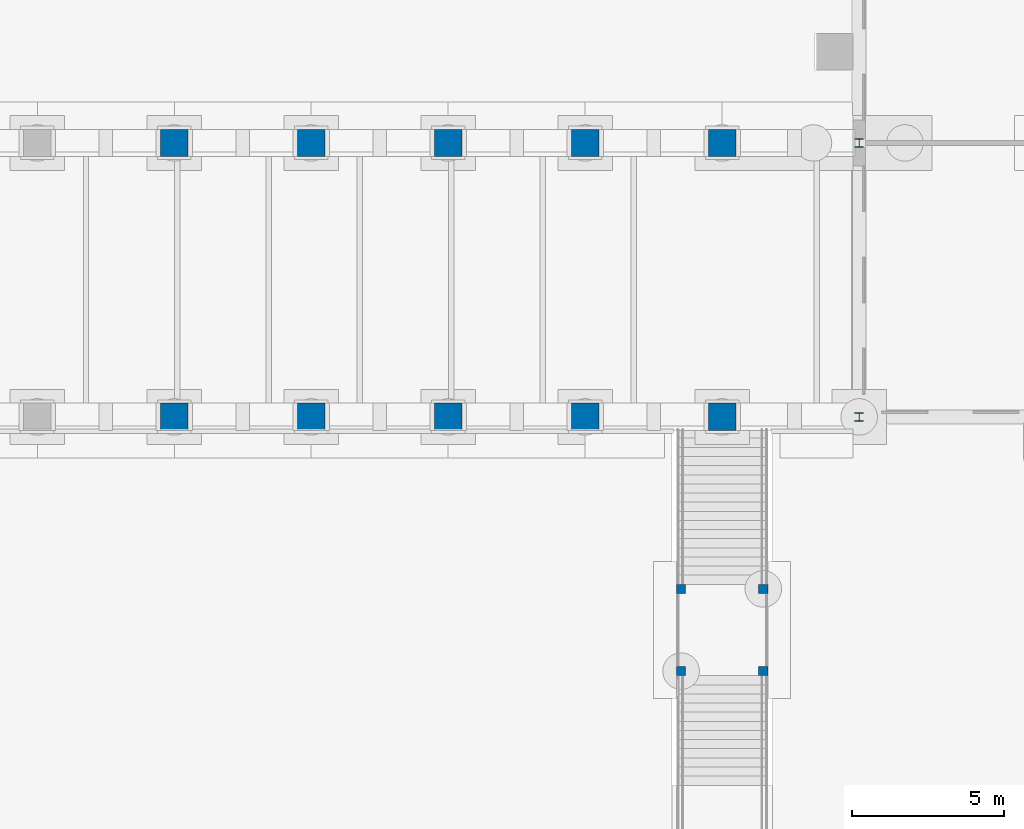
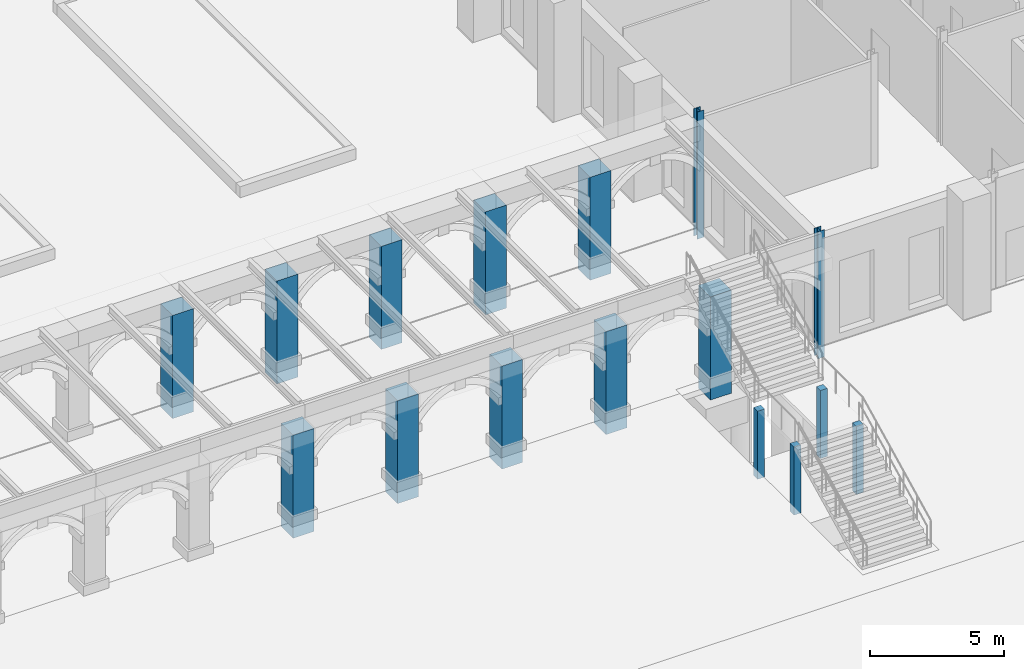
# One storey, part 27 of 168: 16 columns.
"""IFC4 building model written with IfcOpenShell, lengths in metres."""

import ifcopenshell
import ifcopenshell.guid

model = None  # the IFC model being written
_history = None  # IfcOwnerHistory: only IFC2X3 demands one
_inside = {}  # id of a spatial element -> (the spatial element, [elements in it])
_under = {}  # id of a project, library or spatial element -> (it, [spatial elements below it])
_declared = {}  # id of a project -> (the project, [libraries it declares])
_typed = {}  # id of a type object -> (the type object, [elements of that type])
_made_of = {}  # id of a material, layer set ... -> (it, [elements and type objects made of it])


def new_model(schema):
    """Start an empty IFC model of exactly this schema.

    Asked for "IFC4X3", IfcOpenShell would pick the latest addendum, in which some entities
    have other attributes; the version numbers below select the first issue.
    IFC2X3 requires an IfcOwnerHistory on every rooted entity: one is made here for all.
    """
    global model, _history
    if schema == "IFC4X3":
        model = ifcopenshell.file(schema_version=(4, 3, 0, 0))
    else:
        model = ifcopenshell.file(schema=schema)
    _inside.clear()
    _under.clear()
    _declared.clear()
    _typed.clear()
    _made_of.clear()
    _history = None
    if model.schema == "IFC2X3":
        org = make("IfcOrganization", Name="unknown")
        user = make(
            "IfcPersonAndOrganization",
            ThePerson=make("IfcPerson", FamilyName="unknown"),
            TheOrganization=org,
        )
        app = make(
            "IfcApplication",
            ApplicationDeveloper=org,
            Version="unknown",
            ApplicationFullName="unknown",
            ApplicationIdentifier="unknown",
        )
        _history = make(
            "IfcOwnerHistory",
            OwningUser=user,
            OwningApplication=app,
            ChangeAction="ADDED",
            CreationDate=0,
        )
    return model


def make(cls, **values):
    """One entity of the class cls with the attributes given. An attribute that is None is left unset."""
    return model.create_entity(
        cls, **{name: value for name, value in values.items() if value is not None}
    )


def rooted(cls, **values):
    """An entity with a GlobalId (a new one), such as an element, a storey or a relation."""
    return make(cls, GlobalId=ifcopenshell.guid.new(), OwnerHistory=_history, **values)


def si_unit(unit_type, name, prefix=None):
    """IfcSIUnit, for example si_unit("LENGTHUNIT", "METRE", prefix="MILLI")."""
    return make("IfcSIUnit", UnitType=unit_type, Prefix=prefix, Name=name)


def assignment(units):
    """IfcUnitAssignment: the units of a project."""
    return None if units is None else make("IfcUnitAssignment", Units=units)


def point(xyz):
    """IfcCartesianPoint."""
    return None if xyz is None else make("IfcCartesianPoint", Coordinates=xyz)


def direction(xyz):
    """IfcDirection."""
    return None if xyz is None else make("IfcDirection", DirectionRatios=xyz)


def frame(location, z_axis=None, x_axis=None):
    """IfcAxis2Placement3D, a coordinate frame: its origin and axes. An axis left out is left unset."""
    return make(
        "IfcAxis2Placement3D",
        Location=point(location),
        Axis=direction(z_axis),
        RefDirection=direction(x_axis),
    )


def frame_2d(location, x_axis=None):
    """IfcAxis2Placement2D, a coordinate frame in the plane: its origin and x axis."""
    return make(
        "IfcAxis2Placement2D", Location=point(location), RefDirection=direction(x_axis)
    )


def origin():
    """The frame at (0, 0, 0) with its axes left unset."""
    return frame((0.0, 0.0, 0.0))


def origin_2d():
    """The frame at (0, 0) in the plane with its x axis left unset."""
    return frame_2d((0.0, 0.0))


def place(relative_to, where):
    """IfcLocalPlacement: puts the frame where relative to a parent placement (None: the world)."""
    return make(
        "IfcLocalPlacement", PlacementRelTo=relative_to, RelativePlacement=where
    )


def context(
    kind, dimensions, precision=None, world=None, true_north=None, identifier=None
):
    """IfcGeometricRepresentationContext, for example the 3D "Model" context."""
    return make(
        "IfcGeometricRepresentationContext",
        ContextIdentifier=identifier,
        ContextType=kind,
        CoordinateSpaceDimension=dimensions,
        Precision=precision,
        WorldCoordinateSystem=world,
        TrueNorth=true_north,
    )


def subcontext(parent, identifier, kind, view, scale=None):
    """IfcGeometricRepresentationSubContext, for example "Body" below "Model"."""
    return make(
        "IfcGeometricRepresentationSubContext",
        ContextIdentifier=identifier,
        ContextType=kind,
        ParentContext=parent,
        TargetScale=scale,
        TargetView=view,
    )


def project(units=None, contexts=None):
    """IfcProject with its units and contexts."""
    return rooted(
        "IfcProject",
        Name="project",
        RepresentationContexts=contexts,
        UnitsInContext=assignment(units),
    )


def spatial(cls, under=None, at=None, **own):
    """A site, building, storey or space (cls), placed at a placement, below another one or the project."""
    s = rooted(cls, ObjectPlacement=at, **own)
    if under is not None:
        _under.setdefault(under.id(), (under, []))[1].append(s)
    return s


def profile(cls, at=None, kind="AREA", **sizes):
    """A parametric profile (cls). Its sizes go by their IFC names, for example OverallWidth=200.0."""
    return make(cls, ProfileType=kind, Position=at, **sizes)


def rectangle(**sizes):
    """IfcRectangleProfileDef."""
    return profile("IfcRectangleProfileDef", **sizes)


def i_section(**sizes):
    """IfcIShapeProfileDef."""
    return profile("IfcIShapeProfileDef", **sizes)


def extrude(swept, where, along, depth):
    """IfcExtrudedAreaSolid: the profile swept, set in the frame where, extruded along a direction by depth."""
    return make(
        "IfcExtrudedAreaSolid",
        SweptArea=swept,
        Position=where,
        ExtrudedDirection=direction(along),
        Depth=depth,
    )


def shape(context_of_items, identifier, shape_type, items):
    """IfcShapeRepresentation: the items that make up one representation, for example the "Body"."""
    return make(
        "IfcShapeRepresentation",
        ContextOfItems=context_of_items,
        RepresentationIdentifier=identifier,
        RepresentationType=shape_type,
        Items=items,
    )


def material(Name=None, Category=None):
    """IfcMaterial."""
    return make("IfcMaterial", Name=Name, Category=Category)


def material_profile(
    of_material, cross_section, Name=None, Category=None, Priority=None
):
    """IfcMaterialProfile: a cross section and its material."""
    return make(
        "IfcMaterialProfile",
        Name=Name,
        Material=of_material,
        Profile=cross_section,
        Priority=Priority,
        Category=Category,
    )


def profile_set(profiles, Name=None, composite=None):
    """IfcMaterialProfileSet."""
    return make(
        "IfcMaterialProfileSet",
        Name=Name,
        MaterialProfiles=profiles,
        CompositeProfile=composite,
    )


def made_of(thing, what):
    """Note that an element or type object is made of a material, layer set ...; save() writes the relation."""
    if what is not None:
        _made_of.setdefault(what.id(), (what, []))[1].append(thing)
    return thing


def type_object(cls, material=None, **own):
    """A type object (cls), such as IfcWallType, which elements share."""
    return made_of(rooted(cls, **own), material)


def element(
    cls,
    number,
    at=None,
    inside=None,
    cuts=None,
    type_object=None,
    material=None,
    context=None,
    identifier="Body",
    shape_type=None,
    held_by="IfcProductDefinitionShape",
    body=None,
    shapes=None,
    **own,
):
    """One element of the class cls, such as IfcWall. Its Tag is "e" and its number.

    at: its placement. inside: the storey or other place that contains it. cuts: it is an
    opening in that element (IfcRelVoidsElement). A single representation is given by context,
    identifier, shape_type and body (its items); several are given by shapes. held_by: the class
    of the entity that holds the representations. save() writes the other relations.
    """
    e = rooted(cls, Tag="e%d" % number, ObjectPlacement=at, **own)
    if body is not None:
        shapes = [shape(context, identifier, shape_type, body)]
    if shapes is not None:
        e.Representation = make(held_by, Representations=shapes)
    if inside is not None:
        _inside.setdefault(inside.id(), (inside, []))[1].append(e)
    if cuts is not None:
        rooted(
            "IfcRelVoidsElement", RelatingBuildingElement=cuts, RelatedOpeningElement=e
        )
    if type_object is not None:
        _typed.setdefault(type_object.id(), (type_object, []))[1].append(e)
    return made_of(e, material)


def aggregate(whole, parts):
    """IfcRelAggregates: a whole, such as a stair, and the parts it consists of."""
    return rooted("IfcRelAggregates", RelatingObject=whole, RelatedObjects=parts)


def save(model, path):
    """Write the relations noted so far, then the file.

    IfcRelAggregates (storeys below a building ...), IfcRelContainedInSpatialStructure (elements
    in a storey), IfcRelDefinesByType, IfcRelAssociatesMaterial and IfcRelDeclares: one each for
    every whole, place, type object, material and project.
    """
    for whole, parts in _under.values():
        aggregate(whole, parts)
    for where, things in _inside.values():
        rooted(
            "IfcRelContainedInSpatialStructure",
            RelatedElements=things,
            RelatingStructure=where,
        )
    for kind, things in _typed.values():
        rooted("IfcRelDefinesByType", RelatedObjects=things, RelatingType=kind)
    for what, things in _made_of.values():
        rooted("IfcRelAssociatesMaterial", RelatedObjects=things, RelatingMaterial=what)
    for by, libraries in _declared.values():
        rooted("IfcRelDeclares", RelatingContext=by, RelatedDefinitions=libraries)
    model.write(path)


model = new_model("IFC4")

# Units and contexts
model_context = context("Model", 3, precision=1e-05, world=origin(), true_north=direction((0.0, 1.0)))
body_context = subcontext(model_context, "Body", "Model", "MODEL_VIEW")
ifc_project = project(units=[si_unit("LENGTHUNIT", "METRE"), si_unit("AREAUNIT", "SQUARE_METRE"), si_unit("VOLUMEUNIT", "CUBIC_METRE"), si_unit("PLANEANGLEUNIT", "RADIAN"), si_unit("MASSUNIT", "GRAM", prefix="KILO")], contexts=[model_context])

# Site, building, storey
site_placement = place(None, origin())
site = spatial("IfcSite", under=ifc_project, at=site_placement, CompositionType="ELEMENT")
building_placement = place(site_placement, origin())
building = spatial("IfcBuilding", under=site, at=building_placement, Name="Golden Quay Civic Hall", CompositionType="ELEMENT")
storey_placement = place(building_placement, origin())
storey = spatial("IfcBuildingStorey", under=building, at=storey_placement, Name="L00", CompositionType="ELEMENT", Elevation=0.0)

# Columns
ifc_material_1 = material(Name="Concrete C40/50", Category="concrete")
ifc_material_profile_1 = material_profile(ifc_material_1, rectangle(XDim=0.300048828125, YDim=0.300048828125, at=origin_2d()), Name="RC 300x300")
ifc_profile_set_1 = profile_set([ifc_material_profile_1], Name="Concrete C40/50")
column_type_1 = type_object("IfcColumnType", Name="Concrete column RC 300x300", PredefinedType="COLUMN", material=ifc_profile_set_1)
for number, where, z_axis, x_axis, name in (
    (1, (147.14990234375, -17.35009765625, -0.60009765625), (0.0, 0.0, 1.0), (1.0, 0.0, 0.0), "Stair landing column east"),
    (2, (147.14990234375, -14.64990234375, -0.60009765625), (0.0, 0.0, 1.0), (1.0, 0.0, 0.0), "Stair landing column east"),
    (3, (149.85009765625, -17.35009765625, -0.60009765625), (0.0, 0.0, 1.0), (1.0, 0.0, 0.0), "Stair landing column east"),
    (4, (149.85009765625, -14.64990234375, -0.60009765625), (0.0, 0.0, 1.0), (1.0, 0.0, 0.0), "Stair landing column east"),
):
    element("IfcColumn", number, at=place(storey_placement, frame(where, z_axis=z_axis, x_axis=x_axis)), inside=storey, type_object=column_type_1, Name=name, PredefinedType="COLUMN", context=body_context, shape_type="SweptSolid", body=[
        extrude(rectangle(XDim=0.300048828125, YDim=0.300048828125, at=origin_2d()), origin(), (0.0, 0.0, 1.0), 3.10009765625),
    ])
ifc_material_2 = material(Name="Concrete C40/50", Category="concrete")
ifc_material_profile_2 = material_profile(ifc_material_2, rectangle(XDim=0.89990234375, YDim=0.89990234375, at=origin_2d()), Name="RC 900x900")
ifc_profile_set_2 = profile_set([ifc_material_profile_2], Name="Concrete C40/50")
column_type_2 = type_object("IfcColumnType", Name="Concrete column RC 900x900", PredefinedType="COLUMN", material=ifc_profile_set_2)
for number, where, z_axis, x_axis, name in (
    (5, (130.5, -9.0, -0.60009765625), (0.0, 0.0, 1.0), (1.0, 0.0, 0.0), "Arcade pier outer 130.5"),
    (6, (135.0, -9.0, -0.60009765625), (0.0, 0.0, 1.0), (1.0, 0.0, 0.0), "Arcade pier outer 135"),
    (7, (139.5, -9.0, -0.60009765625), (0.0, 0.0, 1.0), (1.0, 0.0, 0.0), "Arcade pier outer 139.5"),
    (8, (144.0, -9.0, -0.60009765625), (0.0, 0.0, 1.0), (1.0, 0.0, 0.0), "Arcade pier outer 144"),
    (9, (148.5, -9.0, -0.60009765625), (0.0, 0.0, 1.0), (1.0, 0.0, 0.0), "Arcade pier outer 148.5"),
    (10, (130.5, 0.0, -0.60009765625), (0.0, 0.0, 1.0), (1.0, 0.0, 0.0), "Arcade pier inner1 130.5"),
    (11, (135.0, 0.0, -0.60009765625), (0.0, 0.0, 1.0), (1.0, 0.0, 0.0), "Arcade pier inner1 135"),
    (12, (139.5, 0.0, -0.60009765625), (0.0, 0.0, 1.0), (1.0, 0.0, 0.0), "Arcade pier inner1 139.5"),
    (13, (144.0, 0.0, -0.60009765625), (0.0, 0.0, 1.0), (1.0, 0.0, 0.0), "Arcade pier inner1 144"),
    (14, (148.5, 0.0, -0.60009765625), (0.0, 0.0, 1.0), (1.0, 0.0, 0.0), "Arcade pier inner1 148.5"),
):
    element("IfcColumn", number, at=place(storey_placement, frame(where, z_axis=z_axis, x_axis=x_axis)), inside=storey, type_object=column_type_2, Name=name, PredefinedType="COLUMN", context=body_context, shape_type="SweptSolid", body=[
        extrude(rectangle(XDim=0.89990234375, YDim=0.89990234375, at=origin_2d()), origin(), (0.0, 0.0, 1.0), 4.7001953125),
    ])
ifc_material_3 = material(Name="Steel S355", Category="steel")
ifc_material_profile_3 = material_profile(ifc_material_3, i_section(OverallWidth=0.280029296875, OverallDepth=0.27001953125, WebThickness=0.008056640625, FlangeThickness=0.012939453125, FilletRadius=0.02392578125, at=origin_2d()), Name="HEA 280")
ifc_profile_set_3 = profile_set([ifc_material_profile_3], Name="Steel S355")
column_type_3 = type_object("IfcColumnType", Name="Steel column HEA 280", PredefinedType="COLUMN", material=ifc_profile_set_3)
for number, where, z_axis, x_axis, name in (
    (15, (153.0, -9.0, -0.60009765625), (0.0, 0.0, 1.0), (1.0, 0.0, 0.0), "Column 153/-9 L00"),
    (16, (153.0, 0.0, -0.60009765625), (0.0, 0.0, 1.0), (1.0, 0.0, 0.0), "Column 153/0 L00"),
):
    element("IfcColumn", number, at=place(storey_placement, frame(where, z_axis=z_axis, x_axis=x_axis)), inside=storey, type_object=column_type_3, Name=name, PredefinedType="COLUMN", context=body_context, shape_type="SweptSolid", body=[
        extrude(i_section(OverallWidth=0.280029296875, OverallDepth=0.27001953125, WebThickness=0.008056640625, FlangeThickness=0.012939453125, FilletRadius=0.02392578125, at=origin_2d()), origin(), (0.0, 0.0, 1.0), 5.800048828125),
    ])

save(model, "model.ifc")
